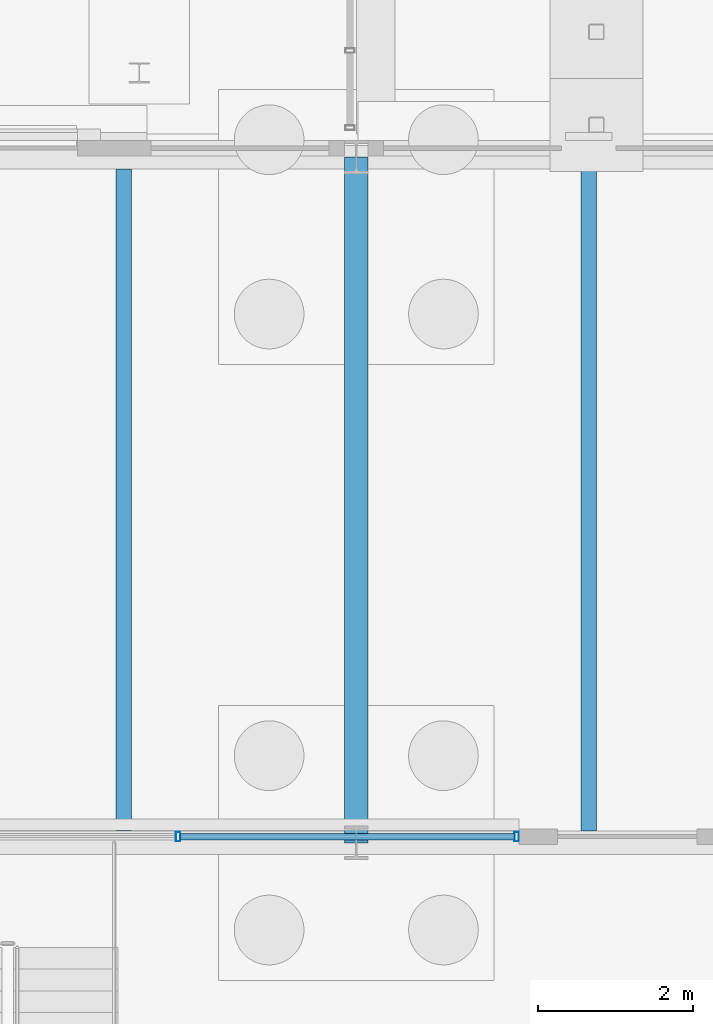
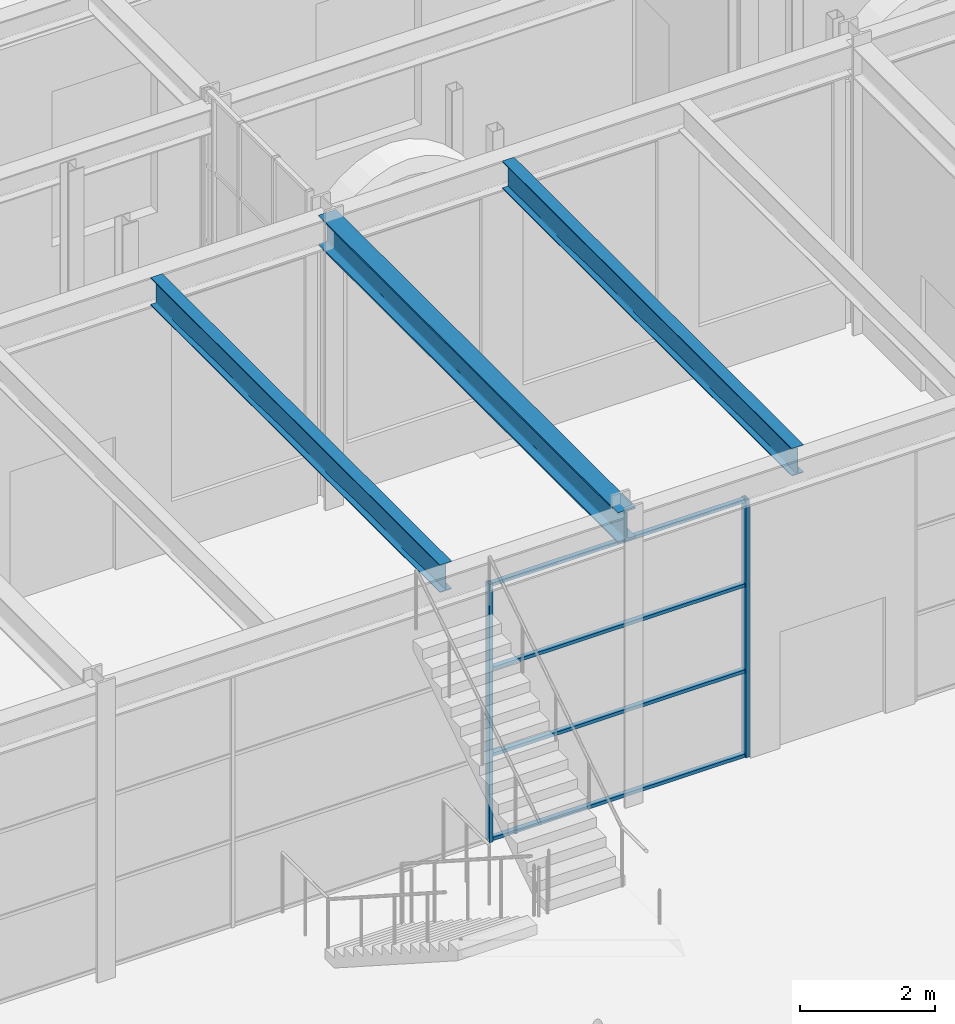
# One storey, part 46 of 126: 6 members, 3 beams, 1 element without a shape of its own.
"""IFC4 building model written with IfcOpenShell, lengths in metres."""

from ifc_helpers import new_model, si_unit, direction, frame, origin, origin_2d, place, context, subcontext, project, spatial, hollow_rectangle, i_section, extrude, material, material_profile, profile_set, type_object, element, aggregate, save


model = new_model("IFC4")

# Units and contexts
model_context = context("Model", 3, precision=1e-05, world=origin(), true_north=direction((0.0, 1.0)))
body_context = subcontext(model_context, "Body", "Model", "MODEL_VIEW")
ifc_project = project(units=[si_unit("LENGTHUNIT", "METRE"), si_unit("AREAUNIT", "SQUARE_METRE"), si_unit("VOLUMEUNIT", "CUBIC_METRE"), si_unit("PLANEANGLEUNIT", "RADIAN"), si_unit("MASSUNIT", "GRAM", prefix="KILO")], contexts=[model_context])

# Site, building, storey
site_placement = place(None, origin())
site = spatial("IfcSite", under=ifc_project, at=site_placement, CompositionType="ELEMENT")
building_placement = place(site_placement, origin())
building = spatial("IfcBuilding", under=site, at=building_placement, Name="Kallimachos Central Library", CompositionType="ELEMENT")
storey_placement = place(building_placement, origin())
storey = spatial("IfcBuildingStorey", under=building, at=storey_placement, Name="L00", CompositionType="ELEMENT", Elevation=0.0)

# Curtain wall, members
ifc_material_1 = material(Name="Aluminium and laminated glass", Category="aluminium")
curtain_wall_type = type_object("IfcCurtainWallType", Name="Atrium glazed screen", PredefinedType="NOTDEFINED", material=ifc_material_1)
curtain_wall_placement = place(storey_placement, origin())
curtain_wall = element("IfcCurtainWall", 1, at=curtain_wall_placement, inside=storey, type_object=curtain_wall_type, Name="L00 atrium screen N", PredefinedType="NOTDEFINED")
ifc_material_2 = material(Name="Anodised aluminium", Category="aluminium")
ifc_material_profile_1 = material_profile(ifc_material_2, hollow_rectangle(XDim=0.06005859375, YDim=0.1201171875, WallThickness=0.00390625, at=origin_2d()), Name="ALU MULLION 60x120")
ifc_profile_set_1 = profile_set([ifc_material_profile_1], Name="Anodised aluminium")
member_type_1 = type_object("IfcMemberType", Name="Atrium screen mullion", PredefinedType="MULLION", material=ifc_profile_set_1)
member_1_placement = place(storey_placement, frame((90.199951171875, 75.080078125, 0.0), z_axis=(0.0, 0.0, 1.0), x_axis=(1.0, 0.0, 0.0)))
member_1 = element("IfcMember", 2, at=member_1_placement, type_object=member_type_1, Name="CW mullion 3", PredefinedType="MULLION", context=body_context, shape_type="SweptSolid", body=[
    extrude(hollow_rectangle(XDim=0.06005859375, YDim=0.1201171875, WallThickness=0.00390625, at=origin_2d()), origin(), (0.0, 0.0, 1.0), 4.64990234375),
])
member_2_placement = place(storey_placement, frame((94.570068359375, 75.080078125, 0.0), z_axis=(0.0, 0.0, 1.0), x_axis=(1.0, 0.0, 0.0)))
member_2 = element("IfcMember", 3, at=member_2_placement, type_object=member_type_1, Name="CW mullion 4", PredefinedType="MULLION", context=body_context, shape_type="SweptSolid", body=[
    extrude(hollow_rectangle(XDim=0.06005859375, YDim=0.1201171875, WallThickness=0.00390625, at=origin_2d()), origin(), (0.0, 0.0, 1.0), 4.64990234375),
])
ifc_material_3 = material(Name="Anodised aluminium", Category="aluminium")
ifc_material_profile_2 = material_profile(ifc_material_3, hollow_rectangle(XDim=0.06005859375, YDim=0.080078125, WallThickness=0.00390625, at=origin_2d()), Name="ALU TRANSOM 60x80")
ifc_profile_set_2 = profile_set([ifc_material_profile_2], Name="Anodised aluminium")
member_type_2 = type_object("IfcMemberType", Name="Atrium screen transom", PredefinedType="USERDEFINED", material=ifc_profile_set_2)
member_3_placement = place(storey_placement, frame((90.22998046875, 75.080078125, 0.030029296875), z_axis=(1.0, 0.0, 0.0), x_axis=(0.0, 0.0, 1.0)))
member_3 = element("IfcMember", 4, at=member_3_placement, type_object=member_type_2, Name="CW transom 3.1", ObjectType="TRANSOM", PredefinedType="USERDEFINED", context=body_context, shape_type="SweptSolid", body=[
    extrude(hollow_rectangle(XDim=0.06005859375, YDim=0.080078125, WallThickness=0.00390625, at=origin_2d()), origin(), (0.0, 0.0, 1.0), 4.31005859375),
])
member_4_placement = place(storey_placement, frame((90.22998046875, 75.080078125, 1.550048828125), z_axis=(1.0, 0.0, 0.0), x_axis=(0.0, 0.0, 1.0)))
member_4 = element("IfcMember", 5, at=member_4_placement, type_object=member_type_2, Name="CW transom 3.2", ObjectType="TRANSOM", PredefinedType="USERDEFINED", context=body_context, shape_type="SweptSolid", body=[
    extrude(hollow_rectangle(XDim=0.06005859375, YDim=0.080078125, WallThickness=0.00390625, at=origin_2d()), origin(), (0.0, 0.0, 1.0), 4.31005859375),
])
member_5_placement = place(storey_placement, frame((90.22998046875, 75.080078125, 3.10009765625), z_axis=(1.0, 0.0, 0.0), x_axis=(0.0, 0.0, 1.0)))
member_5 = element("IfcMember", 6, at=member_5_placement, type_object=member_type_2, Name="CW transom 3.3", ObjectType="TRANSOM", PredefinedType="USERDEFINED", context=body_context, shape_type="SweptSolid", body=[
    extrude(hollow_rectangle(XDim=0.06005859375, YDim=0.080078125, WallThickness=0.00390625, at=origin_2d()), origin(), (0.0, 0.0, 1.0), 4.31005859375),
])
member_6_placement = place(storey_placement, frame((90.22998046875, 75.080078125, 4.6201171875), z_axis=(1.0, 0.0, 0.0), x_axis=(0.0, 0.0, 1.0)))
member_6 = element("IfcMember", 7, at=member_6_placement, type_object=member_type_2, Name="CW transom 3.4", ObjectType="TRANSOM", PredefinedType="USERDEFINED", context=body_context, shape_type="SweptSolid", body=[
    extrude(hollow_rectangle(XDim=0.06005859375, YDim=0.080078125, WallThickness=0.00390625, at=origin_2d()), origin(), (0.0, 0.0, 1.0), 4.31005859375),
])
aggregate(curtain_wall, [member_1, member_2, member_3, member_4, member_5, member_6])

# Beams
ifc_material_4 = material(Name="Steel S355J2", Category="steel")
ifc_material_profile_3 = material_profile(ifc_material_4, i_section(OverallWidth=0.300048828125, OverallDepth=0.550048828125, WebThickness=0.014892578125, FlangeThickness=0.029052734375, FilletRadius=0.027099609375, at=origin_2d()), Name="HEB 550")
ifc_profile_set_3 = profile_set([ifc_material_profile_3], Name="Steel S355J2")
beam_type_1 = type_object("IfcBeamType", Name="HEB 550 beam", PredefinedType="BEAM", material=ifc_profile_set_3)
beam_placement = place(storey_placement, frame((92.5, 75.0, 4.925048828125), z_axis=(0.0, 1.0, 0.0), x_axis=(-1.0, 0.0, 0.0)))
element("IfcBeam", 8, at=beam_placement, inside=storey, type_object=beam_type_1, Name="V4-BEM-L00-012", PredefinedType="BEAM", context=body_context, shape_type="SweptSolid", body=[
    extrude(i_section(OverallWidth=0.300048828125, OverallDepth=0.550048828125, WebThickness=0.014892578125, FlangeThickness=0.029052734375, FilletRadius=0.027099609375, at=origin_2d()), origin(), (0.0, 0.0, 1.0), 8.85009765625),
])
ifc_material_5 = material(Name="Steel S355J2", Category="steel")
ifc_material_profile_4 = material_profile(ifc_material_5, i_section(OverallWidth=0.199951171875, OverallDepth=0.5, WebThickness=0.01025390625, FlangeThickness=0.01611328125, FilletRadius=0.02099609375, at=origin_2d()), Name="IPE 500")
ifc_profile_set_4 = profile_set([ifc_material_profile_4], Name="Steel S355J2")
beam_type_2 = type_object("IfcBeamType", Name="IPE 500 beam", PredefinedType="BEAM", material=ifc_profile_set_4)
for number, where, z_axis, x_axis, name in (
    (9, (89.5, 75.14990234375, 4.949951171875), (0.0, 1.0, 0.0), (-1.0, 0.0, 0.0), "V4-BEM-L00-018"),
    (10, (95.5, 75.14990234375, 4.949951171875), (0.0, 1.0, 0.0), (-1.0, 0.0, 0.0), "V4-BEM-L00-019"),
):
    element("IfcBeam", number, at=place(storey_placement, frame(where, z_axis=z_axis, x_axis=x_axis)), inside=storey, type_object=beam_type_2, Name=name, PredefinedType="BEAM", context=body_context, shape_type="SweptSolid", body=[
        extrude(i_section(OverallWidth=0.199951171875, OverallDepth=0.5, WebThickness=0.01025390625, FlangeThickness=0.01611328125, FilletRadius=0.02099609375, at=origin_2d()), origin(), (0.0, 0.0, 1.0), 8.550048828125),
    ])

save(model, "model.ifc")
